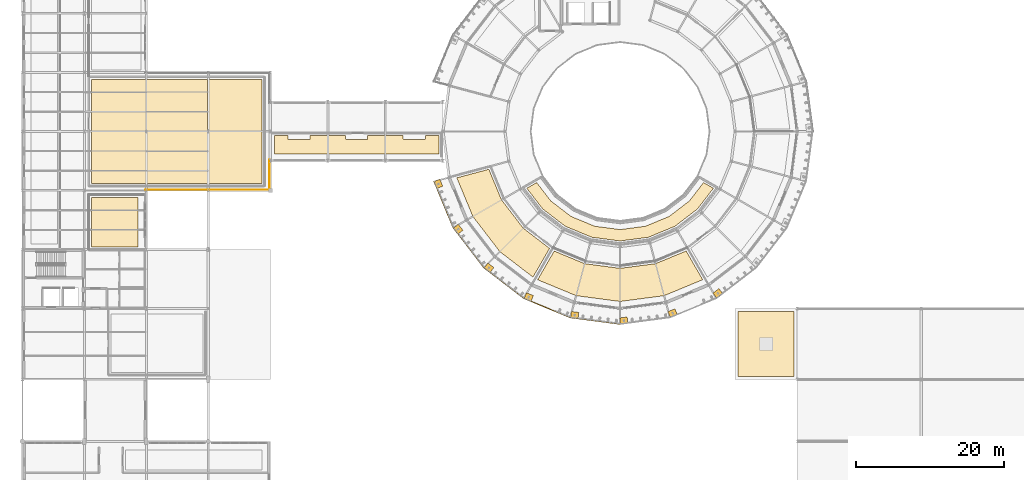
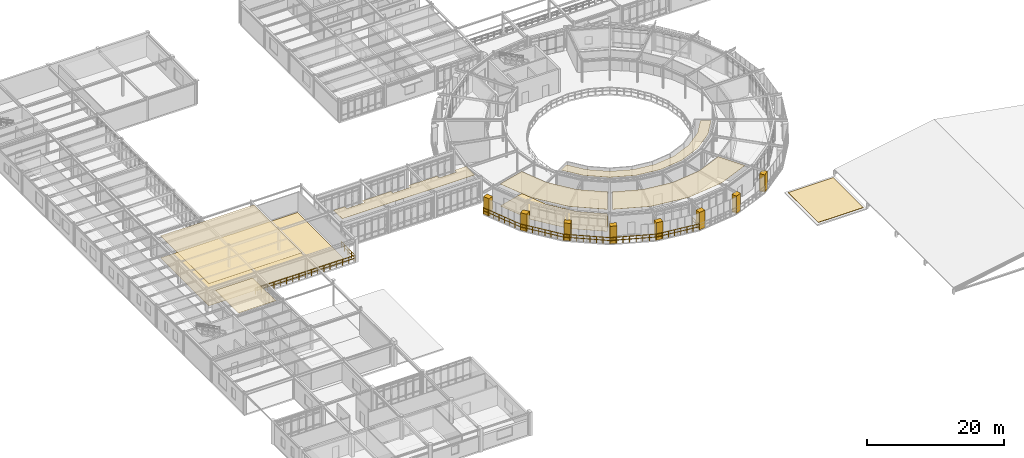
# One storey, part 82 of 90: 9 coverings, 8 shading devices, 2 railings.
"""IFC4 building model written with IfcOpenShell, lengths in metres."""

import ifcopenshell
import ifcopenshell.guid

model = None  # the IFC model being written
_history = None  # IfcOwnerHistory: only IFC2X3 demands one
_inside = {}  # id of a spatial element -> (the spatial element, [elements in it])
_under = {}  # id of a project, library or spatial element -> (it, [spatial elements below it])
_declared = {}  # id of a project -> (the project, [libraries it declares])
_typed = {}  # id of a type object -> (the type object, [elements of that type])
_made_of = {}  # id of a material, layer set ... -> (it, [elements and type objects made of it])


def new_model(schema):
    """Start an empty IFC model of exactly this schema.

    Asked for "IFC4X3", IfcOpenShell would pick the latest addendum, in which some entities
    have other attributes; the version numbers below select the first issue.
    IFC2X3 requires an IfcOwnerHistory on every rooted entity: one is made here for all.
    """
    global model, _history
    if schema == "IFC4X3":
        model = ifcopenshell.file(schema_version=(4, 3, 0, 0))
    else:
        model = ifcopenshell.file(schema=schema)
    _inside.clear()
    _under.clear()
    _declared.clear()
    _typed.clear()
    _made_of.clear()
    _history = None
    if model.schema == "IFC2X3":
        org = make("IfcOrganization", Name="unknown")
        user = make(
            "IfcPersonAndOrganization",
            ThePerson=make("IfcPerson", FamilyName="unknown"),
            TheOrganization=org,
        )
        app = make(
            "IfcApplication",
            ApplicationDeveloper=org,
            Version="unknown",
            ApplicationFullName="unknown",
            ApplicationIdentifier="unknown",
        )
        _history = make(
            "IfcOwnerHistory",
            OwningUser=user,
            OwningApplication=app,
            ChangeAction="ADDED",
            CreationDate=0,
        )
    return model


def make(cls, **values):
    """One entity of the class cls with the attributes given. An attribute that is None is left unset."""
    return model.create_entity(
        cls, **{name: value for name, value in values.items() if value is not None}
    )


def rooted(cls, **values):
    """An entity with a GlobalId (a new one), such as an element, a storey or a relation."""
    return make(cls, GlobalId=ifcopenshell.guid.new(), OwnerHistory=_history, **values)


def si_unit(unit_type, name, prefix=None):
    """IfcSIUnit, for example si_unit("LENGTHUNIT", "METRE", prefix="MILLI")."""
    return make("IfcSIUnit", UnitType=unit_type, Prefix=prefix, Name=name)


def derived_unit(unit_type, elements):
    """IfcDerivedUnit: a product of units, each with its exponent."""
    return make(
        "IfcDerivedUnit",
        Elements=[
            make("IfcDerivedUnitElement", Unit=unit, Exponent=power)
            for unit, power in elements
        ],
        UnitType=unit_type,
    )


def assignment(units):
    """IfcUnitAssignment: the units of a project."""
    return None if units is None else make("IfcUnitAssignment", Units=units)


def point(xyz):
    """IfcCartesianPoint."""
    return None if xyz is None else make("IfcCartesianPoint", Coordinates=xyz)


def direction(xyz):
    """IfcDirection."""
    return None if xyz is None else make("IfcDirection", DirectionRatios=xyz)


def frame(location, z_axis=None, x_axis=None):
    """IfcAxis2Placement3D, a coordinate frame: its origin and axes. An axis left out is left unset."""
    return make(
        "IfcAxis2Placement3D",
        Location=point(location),
        Axis=direction(z_axis),
        RefDirection=direction(x_axis),
    )


def frame_2d(location, x_axis=None):
    """IfcAxis2Placement2D, a coordinate frame in the plane: its origin and x axis."""
    return make(
        "IfcAxis2Placement2D", Location=point(location), RefDirection=direction(x_axis)
    )


def origin():
    """The frame at (0, 0, 0) with its axes left unset."""
    return frame((0.0, 0.0, 0.0))


def origin_2d():
    """The frame at (0, 0) in the plane with its x axis left unset."""
    return frame_2d((0.0, 0.0))


def place(relative_to, where):
    """IfcLocalPlacement: puts the frame where relative to a parent placement (None: the world)."""
    return make(
        "IfcLocalPlacement", PlacementRelTo=relative_to, RelativePlacement=where
    )


def context(
    kind, dimensions, precision=None, world=None, true_north=None, identifier=None
):
    """IfcGeometricRepresentationContext, for example the 3D "Model" context."""
    return make(
        "IfcGeometricRepresentationContext",
        ContextIdentifier=identifier,
        ContextType=kind,
        CoordinateSpaceDimension=dimensions,
        Precision=precision,
        WorldCoordinateSystem=world,
        TrueNorth=true_north,
    )


def subcontext(parent, identifier, kind, view, scale=None):
    """IfcGeometricRepresentationSubContext, for example "Body" below "Model"."""
    return make(
        "IfcGeometricRepresentationSubContext",
        ContextIdentifier=identifier,
        ContextType=kind,
        ParentContext=parent,
        TargetScale=scale,
        TargetView=view,
    )


def project(units=None, contexts=None):
    """IfcProject with its units and contexts."""
    return rooted(
        "IfcProject",
        Name="project",
        RepresentationContexts=contexts,
        UnitsInContext=assignment(units),
    )


def spatial(cls, under=None, at=None, **own):
    """A site, building, storey or space (cls), placed at a placement, below another one or the project."""
    s = rooted(cls, ObjectPlacement=at, **own)
    if under is not None:
        _under.setdefault(under.id(), (under, []))[1].append(s)
    return s


def polyline(points):
    """IfcPolyline through the points."""
    return make("IfcPolyline", Points=[point(p) for p in points])


def profile(cls, at=None, kind="AREA", **sizes):
    """A parametric profile (cls). Its sizes go by their IFC names, for example OverallWidth=200.0."""
    return make(cls, ProfileType=kind, Position=at, **sizes)


def rectangle(**sizes):
    """IfcRectangleProfileDef."""
    return profile("IfcRectangleProfileDef", **sizes)


def circle(**sizes):
    """IfcCircleProfileDef."""
    return profile("IfcCircleProfileDef", **sizes)


def outline(outer, holes=None, kind="AREA"):
    """IfcArbitraryClosedProfileDef: a profile drawn as a closed curve; with holes, ...WithVoids."""
    if holes is None:
        return make("IfcArbitraryClosedProfileDef", ProfileType=kind, OuterCurve=outer)
    return make(
        "IfcArbitraryProfileDefWithVoids",
        ProfileType=kind,
        OuterCurve=outer,
        InnerCurves=holes,
    )


def extrude(swept, where, along, depth):
    """IfcExtrudedAreaSolid: the profile swept, set in the frame where, extruded along a direction by depth."""
    return make(
        "IfcExtrudedAreaSolid",
        SweptArea=swept,
        Position=where,
        ExtrudedDirection=direction(along),
        Depth=depth,
    )


def shape(context_of_items, identifier, shape_type, items):
    """IfcShapeRepresentation: the items that make up one representation, for example the "Body"."""
    return make(
        "IfcShapeRepresentation",
        ContextOfItems=context_of_items,
        RepresentationIdentifier=identifier,
        RepresentationType=shape_type,
        Items=items,
    )


def material(Name=None, Category=None):
    """IfcMaterial."""
    return make("IfcMaterial", Name=Name, Category=Category)


def layer(
    of_material, thickness, ventilated=None, Name=None, Category=None, Priority=None
):
    """IfcMaterialLayer: one layer of a wall or slab, of a material (None: an air gap)."""
    return make(
        "IfcMaterialLayer",
        Material=of_material,
        LayerThickness=thickness,
        IsVentilated=ventilated,
        Name=Name,
        Category=Category,
        Priority=Priority,
    )


def layer_set(layers, Name=None):
    """IfcMaterialLayerSet."""
    return make("IfcMaterialLayerSet", MaterialLayers=layers, LayerSetName=Name)


def made_of(thing, what):
    """Note that an element or type object is made of a material, layer set ...; save() writes the relation."""
    if what is not None:
        _made_of.setdefault(what.id(), (what, []))[1].append(thing)
    return thing


def type_object(cls, material=None, **own):
    """A type object (cls), such as IfcWallType, which elements share."""
    return made_of(rooted(cls, **own), material)


def element(
    cls,
    number,
    at=None,
    inside=None,
    cuts=None,
    type_object=None,
    material=None,
    context=None,
    identifier="Body",
    shape_type=None,
    held_by="IfcProductDefinitionShape",
    body=None,
    shapes=None,
    **own,
):
    """One element of the class cls, such as IfcWall. Its Tag is "e" and its number.

    at: its placement. inside: the storey or other place that contains it. cuts: it is an
    opening in that element (IfcRelVoidsElement). A single representation is given by context,
    identifier, shape_type and body (its items); several are given by shapes. held_by: the class
    of the entity that holds the representations. save() writes the other relations.
    """
    e = rooted(cls, Tag="e%d" % number, ObjectPlacement=at, **own)
    if body is not None:
        shapes = [shape(context, identifier, shape_type, body)]
    if shapes is not None:
        e.Representation = make(held_by, Representations=shapes)
    if inside is not None:
        _inside.setdefault(inside.id(), (inside, []))[1].append(e)
    if cuts is not None:
        rooted(
            "IfcRelVoidsElement", RelatingBuildingElement=cuts, RelatedOpeningElement=e
        )
    if type_object is not None:
        _typed.setdefault(type_object.id(), (type_object, []))[1].append(e)
    return made_of(e, material)


def aggregate(whole, parts):
    """IfcRelAggregates: a whole, such as a stair, and the parts it consists of."""
    return rooted("IfcRelAggregates", RelatingObject=whole, RelatedObjects=parts)


def save(model, path):
    """Write the relations noted so far, then the file.

    IfcRelAggregates (storeys below a building ...), IfcRelContainedInSpatialStructure (elements
    in a storey), IfcRelDefinesByType, IfcRelAssociatesMaterial and IfcRelDeclares: one each for
    every whole, place, type object, material and project.
    """
    for whole, parts in _under.values():
        aggregate(whole, parts)
    for where, things in _inside.values():
        rooted(
            "IfcRelContainedInSpatialStructure",
            RelatedElements=things,
            RelatingStructure=where,
        )
    for kind, things in _typed.values():
        rooted("IfcRelDefinesByType", RelatedObjects=things, RelatingType=kind)
    for what, things in _made_of.values():
        rooted("IfcRelAssociatesMaterial", RelatedObjects=things, RelatingMaterial=what)
    for by, libraries in _declared.values():
        rooted("IfcRelDeclares", RelatingContext=by, RelatedDefinitions=libraries)
    model.write(path)


model = new_model("IFC4")

# Units and contexts
model_context = context("Model", 3, precision=1e-05, world=origin(), true_north=direction((0.0, 1.0)))
body_context = subcontext(model_context, "Body", "Model", "MODEL_VIEW")
ifc_project = project(units=[si_unit("LENGTHUNIT", "METRE"), si_unit("AREAUNIT", "SQUARE_METRE"), si_unit("VOLUMEUNIT", "CUBIC_METRE"), si_unit("PLANEANGLEUNIT", "RADIAN"), si_unit("MASSUNIT", "GRAM", prefix="KILO"), derived_unit("THERMALTRANSMITTANCEUNIT", [(si_unit("POWERUNIT", "WATT"), 1), (si_unit("AREAUNIT", "SQUARE_METRE"), -1), (si_unit("THERMODYNAMICTEMPERATUREUNIT", "KELVIN"), -1)])], contexts=[model_context])

# Site, building, storey
site_placement = place(None, origin())
site = spatial("IfcSite", under=ifc_project, at=site_placement, CompositionType="ELEMENT")
building_placement = place(site_placement, origin())
building = spatial("IfcBuilding", under=site, at=building_placement, Name="Yasenodar Specialist Clinic", CompositionType="ELEMENT")
storey_placement = place(building_placement, frame((0.0, 0.0, 9.0)))
storey = spatial("IfcBuildingStorey", under=building, at=storey_placement, Name="L02", CompositionType="ELEMENT", Elevation=9.0)

# Coverings
ifc_material_1 = material(Name="Hygienic Acoustic Mineral-Fibre Ceiling")
ifc_layer_1 = layer(ifc_material_1, 0.02490234375)
ifc_layer_set_1 = layer_set([ifc_layer_1], Name="Hygienic Acoustic Mineral-Fibre Ceiling")
covering_type_1 = type_object("IfcCoveringType", Name="COV-CEIL-AC", PredefinedType="CEILING", material=ifc_layer_set_1)
covering_1_placement = place(storey_placement, frame((0.0, 0.0, 3.925048828125)))
element("IfcCovering", 1, at=covering_1_placement, inside=storey, type_object=covering_type_1, Name="L02 Neurology Day-Infusion Suite Acoustic Ceiling", PredefinedType="CEILING", context=body_context, shape_type="SweptSolid", body=[
    extrude(outline(polyline([(64.927978515625, 49.5380859375), (64.943115234375, 49.511962890625), (64.9609375, 49.487060546875), (67.85302734375, 45.718017578125), (67.873046875, 45.694091796875), (67.89404296875, 45.673095703125), (67.91796875, 45.653076171875), (71.443115234375, 42.947021484375), (69.196044921875, 39.055908203125), (64.702880859375, 42.5029296875), (61.041015625, 47.277099609375), (58.873046875, 52.509033203125), (63.214111328125, 53.672119140625), (64.9150390625, 49.56591796875), (64.927978515625, 49.5380859375)])), origin(), (0.0, 0.0, 1.0), 0.02490234375),
])
covering_2_placement = place(storey_placement, frame((0.0, 0.0, 3.925048828125)))
element("IfcCovering", 2, at=covering_2_placement, inside=storey, type_object=covering_type_1, Name="L02 Rheumatology Infusion Suite Acoustic Ceiling", PredefinedType="CEILING", context=body_context, shape_type="SweptSolid", body=[
    extrude(outline(polyline([(76.214111328125, 40.8779296875), (76.243896484375, 40.873046875), (80.9541015625, 40.2529296875), (80.985107421875, 40.25), (81.014892578125, 40.25), (81.0458984375, 40.2529296875), (85.756103515625, 40.873046875), (85.785888671875, 40.8779296875), (85.81591796875, 40.885986328125), (85.843994140625, 40.89697265625), (89.949951171875, 42.596923828125), (92.197021484375, 38.7060546875), (86.965087890625, 36.5380859375), (81.0, 35.7529296875), (75.034912109375, 36.5380859375), (69.821044921875, 38.697998046875), (72.068115234375, 42.590087890625), (76.156005859375, 40.89697265625), (76.18408203125, 40.885986328125), (76.214111328125, 40.8779296875)])), origin(), (0.0, 0.0, 1.0), 0.02490234375),
])
covering_3_placement = place(storey_placement, frame((0.0, 0.0, 3.925048828125)))
element("IfcCovering", 3, at=covering_3_placement, inside=storey, type_object=covering_type_1, Name="L02 Upper Drum Observation Gallery Acoustic Ceiling", PredefinedType="CEILING", context=body_context, shape_type="SweptSolid", body=[
    extrude(outline(polyline([(93.64306640625, 51.095947265625), (91.498046875, 48.302001953125), (88.423095703125, 45.94189453125), (84.843017578125, 44.458984375), (81.0, 43.952880859375), (77.156982421875, 44.458984375), (73.576904296875, 45.94189453125), (70.501953125, 48.302001953125), (68.35693359375, 51.095947265625), (69.696044921875, 51.8701171875), (71.5869140625, 49.405029296875), (71.592041015625, 49.39892578125), (71.59912109375, 49.39208984375), (71.60498046875, 49.386962890625), (74.339111328125, 47.2890625), (74.345947265625, 47.283935546875), (74.35400390625, 47.280029296875), (74.362060546875, 47.27587890625), (77.544921875, 45.95703125), (77.553955078125, 45.9541015625), (77.56201171875, 45.951904296875), (77.571044921875, 45.950927734375), (80.987060546875, 45.5009765625), (80.99609375, 45.5), (81.00390625, 45.5), (81.012939453125, 45.5009765625), (84.428955078125, 45.950927734375), (84.43798828125, 45.951904296875), (84.446044921875, 45.9541015625), (84.455078125, 45.95703125), (87.637939453125, 47.27587890625), (87.64599609375, 47.280029296875), (87.654052734375, 47.283935546875), (87.660888671875, 47.2890625), (90.39501953125, 49.386962890625), (90.40087890625, 49.39208984375), (90.407958984375, 49.39892578125), (90.4130859375, 49.405029296875), (92.303955078125, 51.8701171875), (93.64306640625, 51.095947265625)])), origin(), (0.0, 0.0, 1.0), 0.02490234375),
])
covering_4_placement = place(storey_placement, frame((0.0, 0.0, 3.925048828125)))
element("IfcCovering", 4, at=covering_4_placement, inside=storey, type_object=covering_type_1, Name="L02 Electromyography Suite Acoustic Ceiling", PredefinedType="CEILING", context=body_context, shape_type="SweptSolid", body=[
    extrude(outline(polyline([(15.64990234375, 49.85009765625), (15.64990234375, 43.1298828125), (9.35009765625, 43.1298828125), (9.35009765625, 49.85009765625), (15.64990234375, 49.85009765625)])), origin(), (0.0, 0.0, 1.0), 0.02490234375),
])
covering_5_placement = place(storey_placement, frame((0.0, 0.0, 3.925048828125)))
element("IfcCovering", 5, at=covering_5_placement, inside=storey, type_object=covering_type_1, Name="L02 Upper Bridge Outpatient Lounge Acoustic Ceiling", PredefinedType="CEILING", context=body_context, shape_type="SweptSolid", body=[
    extrude(outline(polyline([(9.35009765625, 51.75), (9.35009765625, 65.85009765625), (25.10009765625, 65.85009765625), (25.10009765625, 51.75), (9.35009765625, 51.75)])), origin(), (0.0, 0.0, 1.0), 0.02490234375),
])
covering_6_placement = place(storey_placement, frame((0.0, 0.0, 4.39990234375)))
element("IfcCovering", 6, at=covering_6_placement, inside=storey, type_object=covering_type_1, Name="L02 Upper Light Bridge Daylit Gallery Acoustic Ceiling", PredefinedType="CEILING", context=body_context, shape_type="SweptSolid", body=[
    extrude(outline(polyline([(56.449951171875, 55.75), (34.14990234375, 55.75), (34.14990234375, 58.25), (36.0, 58.25), (36.0, 57.800048828125), (36.0, 57.7900390625), (36.001953125, 57.780029296875), (36.00390625, 57.77099609375), (36.008056640625, 57.761962890625), (36.011962890625, 57.7529296875), (36.01708984375, 57.743896484375), (36.02294921875, 57.737060546875), (36.029052734375, 57.72900390625), (36.037109375, 57.722900390625), (36.0439453125, 57.717041015625), (36.052978515625, 57.7119140625), (36.06201171875, 57.7080078125), (36.071044921875, 57.7041015625), (36.080078125, 57.701904296875), (36.090087890625, 57.699951171875), (36.10009765625, 57.699951171875), (38.89990234375, 57.699951171875), (38.909912109375, 57.699951171875), (38.919921875, 57.701904296875), (38.928955078125, 57.7041015625), (38.93798828125, 57.7080078125), (38.947021484375, 57.7119140625), (38.9560546875, 57.717041015625), (38.962890625, 57.722900390625), (38.970947265625, 57.72900390625), (38.97705078125, 57.737060546875), (38.98291015625, 57.743896484375), (38.988037109375, 57.7529296875), (38.991943359375, 57.761962890625), (38.99609375, 57.77099609375), (38.998046875, 57.780029296875), (39.0, 57.7900390625), (39.0, 57.800048828125), (39.0, 58.25), (43.800048828125, 58.25), (43.800048828125, 57.800048828125), (43.800048828125, 57.7900390625), (43.802001953125, 57.780029296875), (43.803955078125, 57.77099609375), (43.80810546875, 57.761962890625), (43.81201171875, 57.7529296875), (43.81689453125, 57.743896484375), (43.822998046875, 57.737060546875), (43.8291015625, 57.72900390625), (43.8369140625, 57.722900390625), (43.843994140625, 57.717041015625), (43.85302734375, 57.7119140625), (43.862060546875, 57.7080078125), (43.87109375, 57.7041015625), (43.8798828125, 57.701904296875), (43.889892578125, 57.699951171875), (43.89990234375, 57.699951171875), (46.699951171875, 57.699951171875), (46.7099609375, 57.699951171875), (46.719970703125, 57.701904296875), (46.72900390625, 57.7041015625), (46.738037109375, 57.7080078125), (46.7470703125, 57.7119140625), (46.756103515625, 57.717041015625), (46.762939453125, 57.722900390625), (46.77099609375, 57.72900390625), (46.777099609375, 57.737060546875), (46.782958984375, 57.743896484375), (46.7880859375, 57.7529296875), (46.7919921875, 57.761962890625), (46.7958984375, 57.77099609375), (46.798095703125, 57.780029296875), (46.800048828125, 57.7900390625), (46.800048828125, 57.800048828125), (46.800048828125, 58.25), (51.60009765625, 58.25), (51.60009765625, 57.800048828125), (51.60009765625, 57.7900390625), (51.60205078125, 57.780029296875), (51.60400390625, 57.77099609375), (51.60791015625, 57.761962890625), (51.612060546875, 57.7529296875), (51.616943359375, 57.743896484375), (51.623046875, 57.737060546875), (51.62890625, 57.72900390625), (51.636962890625, 57.722900390625), (51.64404296875, 57.717041015625), (51.653076171875, 57.7119140625), (51.662109375, 57.7080078125), (51.6708984375, 57.7041015625), (51.679931640625, 57.701904296875), (51.68994140625, 57.699951171875), (51.699951171875, 57.699951171875), (54.5, 57.699951171875), (54.510009765625, 57.699951171875), (54.52001953125, 57.701904296875), (54.529052734375, 57.7041015625), (54.5380859375, 57.7080078125), (54.547119140625, 57.7119140625), (54.555908203125, 57.717041015625), (54.56298828125, 57.722900390625), (54.571044921875, 57.72900390625), (54.576904296875, 57.737060546875), (54.5830078125, 57.743896484375), (54.587890625, 57.7529296875), (54.592041015625, 57.761962890625), (54.595947265625, 57.77099609375), (54.597900390625, 57.780029296875), (54.60009765625, 57.7900390625), (54.60009765625, 57.800048828125), (54.60009765625, 58.25), (56.449951171875, 58.25), (56.449951171875, 55.75)])), origin(), (0.0, 0.0, 1.0), 0.025146484375),
])
ifc_material_2 = material(Name="Seamless Epoxy Terrazzo Clinical Flooring")
ifc_layer_2 = layer(ifc_material_2, 0.02001953125)
ifc_layer_set_2 = layer_set([ifc_layer_2], Name="Seamless Epoxy Terrazzo Clinical Flooring")
covering_type_2 = type_object("IfcCoveringType", Name="COV-FLR-TERR", PredefinedType="FLOORING", material=ifc_layer_set_2)
covering_7_placement = place(storey_placement, origin())
element("IfcCovering", 7, at=covering_7_placement, inside=storey, type_object=covering_type_2, Name="L02 Neurology Day-Infusion Suite Terrazzo Flooring", PredefinedType="FLOORING", context=body_context, shape_type="SweptSolid", body=[
    extrude(outline(polyline([(64.927978515625, 49.5380859375), (64.943115234375, 49.511962890625), (64.9609375, 49.487060546875), (67.85302734375, 45.718017578125), (67.873046875, 45.694091796875), (67.89404296875, 45.673095703125), (67.91796875, 45.653076171875), (71.443115234375, 42.947021484375), (69.196044921875, 39.055908203125), (64.702880859375, 42.5029296875), (61.041015625, 47.277099609375), (58.873046875, 52.509033203125), (63.214111328125, 53.672119140625), (64.9150390625, 49.56591796875), (64.927978515625, 49.5380859375)])), origin(), (0.0, 0.0, 1.0), 0.02001953125),
])
covering_8_placement = place(storey_placement, origin())
element("IfcCovering", 8, at=covering_8_placement, inside=storey, type_object=covering_type_2, Name="L02 Upper Bridge Outpatient Lounge Terrazzo Flooring", PredefinedType="FLOORING", context=body_context, shape_type="SweptSolid", body=[
    extrude(outline(polyline([(32.449951171875, 51.75), (9.35009765625, 51.75), (9.35009765625, 65.85009765625), (32.449951171875, 65.85009765625), (32.449951171875, 51.75)])), origin(), (0.0, 0.0, 1.0), 0.02001953125),
])
ifc_material_3 = material(Name="Standing-Seam Pre-Weathered Zinc Roofing")
ifc_layer_3 = layer(ifc_material_3, 0.06005859375)
ifc_layer_set_3 = layer_set([ifc_layer_3], Name="Standing-Seam Pre-Weathered Zinc Roofing")
covering_type_3 = type_object("IfcCoveringType", Name="COV-ROOF-ZINC", PredefinedType="ROOFING", material=ifc_layer_set_3)
covering_9_placement = place(storey_placement, origin())
element("IfcCovering", 9, at=covering_9_placement, inside=storey, type_object=covering_type_3, Name="V3 Link Zinc Roof Covering", PredefinedType="ROOFING", context=body_context, shape_type="SweptSolid", body=[
    extrude(outline(polyline([(97.0, 25.60009765625), (104.60009765625, 25.60009765625), (104.60009765625, 34.39990234375), (97.0, 34.39990234375), (97.0, 25.60009765625)])), origin(), (0.0, 0.0, 1.0), 0.06005859375),
])

# Railings
ifc_material_4 = material(Name="Bronze Anodized Aluminium and Larch Balustrade", Category="aluminium")
railing_type_1 = type_object("IfcRailingType", Name="RL-BAL-1120", PredefinedType="BALUSTRADE", material=ifc_material_4)
railing_1_placement = place(storey_placement, frame((57.605224609375, 52.531494140625, 0.0)))
element("IfcRailing", 10, at=railing_1_placement, inside=storey, type_object=railing_type_1, Name="L02 Drum V1 Balcony Balustrade 3", PredefinedType="BALUSTRADE", context=body_context, shape_type="SweptSolid", body=[
    extrude(circle(Radius=0.02392578125, at=origin_2d()), frame((0.0, 0.0, 1.09619140625), z_axis=(-0.965899289485, -0.258918061502, 0.0), x_axis=(0.258918061502, -0.965899289485, 0.0)), (0.0, 0.0, 1.0), 1.89990234375),
    extrude(circle(Radius=0.02392578125, at=origin_2d()), frame((0.0, 0.0, 0.58251953125), z_axis=(-0.965899289485, -0.258918061502, 0.0), x_axis=(0.258918061502, -0.965899289485, 0.0)), (0.0, 0.0, 1.0), 1.89990234375),
    extrude(circle(Radius=0.02392578125, at=origin_2d()), frame((-1.835205078125, -0.491943359375, 1.09619140625), z_axis=(0.382684882513, -0.923878931839, 0.0), x_axis=(0.923878931839, 0.382684882513, 0.0)), (0.0, 0.0, 1.0), 6.818603515625),
    extrude(circle(Radius=0.02392578125, at=origin_2d()), frame((-1.835205078125, -0.491943359375, 0.58251953125), z_axis=(0.382684882513, -0.923878931839, 0.0), x_axis=(0.923878931839, 0.382684882513, 0.0)), (0.0, 0.0, 1.0), 6.818603515625),
    extrude(circle(Radius=0.02392578125, at=origin_2d()), frame((0.774169921875, -6.79150390625, 1.09619140625), z_axis=(0.608774242529, -0.793343507967, 0.0), x_axis=(0.793343507967, 0.608774242529, 0.0)), (0.0, 0.0, 1.0), 6.81884765625),
    extrude(circle(Radius=0.02392578125, at=origin_2d()), frame((0.774169921875, -6.79150390625, 0.58251953125), z_axis=(0.608774242529, -0.793343507967, 0.0), x_axis=(0.793343507967, 0.608774242529, 0.0)), (0.0, 0.0, 1.0), 6.81884765625),
    extrude(circle(Radius=0.02392578125, at=origin_2d()), frame((4.92529296875, -12.201171875, 1.09619140625), z_axis=(0.793347531118, -0.608768999597, 0.0), x_axis=(0.608768999597, 0.793347531118, 0.0)), (0.0, 0.0, 1.0), 6.818359375),
    extrude(circle(Radius=0.02392578125, at=origin_2d()), frame((4.92529296875, -12.201171875, 0.58251953125), z_axis=(0.793347531118, -0.608768999597, 0.0), x_axis=(0.608768999597, 0.793347531118, 0.0)), (0.0, 0.0, 1.0), 6.818359375),
    extrude(circle(Radius=0.02392578125, at=origin_2d()), frame((10.334716796875, -16.35205078125, 1.09619140625), z_axis=(0.923878931839, -0.382684882513, 0.0), x_axis=(0.382684882513, 0.923878931839, 0.0)), (0.0, 0.0, 1.0), 6.818603515625),
    extrude(circle(Radius=0.02392578125, at=origin_2d()), frame((10.334716796875, -16.35205078125, 0.58251953125), z_axis=(0.923878931839, -0.382684882513, 0.0), x_axis=(0.382684882513, 0.923878931839, 0.0)), (0.0, 0.0, 1.0), 6.818603515625),
    extrude(circle(Radius=0.02392578125, at=origin_2d()), frame((16.63427734375, -18.96142578125, 1.09619140625), z_axis=(0.9914429584, -0.130540645926, 0.0), x_axis=(0.130540645926, 0.9914429584, 0.0)), (0.0, 0.0, 1.0), 6.81884765625),
    extrude(circle(Radius=0.02392578125, at=origin_2d()), frame((16.63427734375, -18.96142578125, 0.58251953125), z_axis=(0.9914429584, -0.130540645926, 0.0), x_axis=(0.130540645926, 0.9914429584, 0.0)), (0.0, 0.0, 1.0), 6.81884765625),
    extrude(circle(Radius=0.02392578125, at=origin_2d()), frame((23.394775390625, -19.8515625, 1.09619140625), z_axis=(0.0, 1.0, 0.0), x_axis=(-1.0, 0.0, 0.0)), (0.0, 0.0, 1.0), 1.900146484375),
    extrude(circle(Radius=0.02392578125, at=origin_2d()), frame((23.394775390625, -19.8515625, 0.58251953125), z_axis=(0.0, 1.0, 0.0), x_axis=(-1.0, 0.0, 0.0)), (0.0, 0.0, 1.0), 1.900146484375),
    extrude(circle(Radius=0.02099609375, at=origin_2d()), origin(), (0.0, 0.0, 1.0), 1.072021484375),
    extrude(circle(Radius=0.02099609375, at=origin_2d()), frame((-0.91748046875, -0.24609375, 0.0)), (0.0, 0.0, 1.0), 1.072021484375),
    extrude(circle(Radius=0.02099609375, at=origin_2d()), frame((-1.835205078125, -0.491943359375, 0.0)), (0.0, 0.0, 1.0), 1.072021484375),
    extrude(circle(Radius=0.02099609375, at=origin_2d()), frame((-1.46240234375, -1.391845703125, 0.0)), (0.0, 0.0, 1.0), 1.072021484375),
    extrude(circle(Radius=0.02099609375, at=origin_2d()), frame((-1.089599609375, -2.291748046875, 0.0)), (0.0, 0.0, 1.0), 1.072021484375),
    extrude(circle(Radius=0.02099609375, at=origin_2d()), frame((-0.716796875, -3.191650390625, 0.0)), (0.0, 0.0, 1.0), 1.072021484375),
    extrude(circle(Radius=0.02099609375, at=origin_2d()), frame((-0.34423828125, -4.091796875, 0.0)), (0.0, 0.0, 1.0), 1.072021484375),
    extrude(circle(Radius=0.02099609375, at=origin_2d()), frame((0.028564453125, -4.99169921875, 0.0)), (0.0, 0.0, 1.0), 1.072021484375),
    extrude(circle(Radius=0.02099609375, at=origin_2d()), frame((0.4013671875, -5.8916015625, 0.0)), (0.0, 0.0, 1.0), 1.072021484375),
    extrude(circle(Radius=0.02099609375, at=origin_2d()), frame((0.774169921875, -6.79150390625, 0.0)), (0.0, 0.0, 1.0), 1.072021484375),
    extrude(circle(Radius=0.02099609375, at=origin_2d()), frame((1.3671875, -7.564208984375, 0.0)), (0.0, 0.0, 1.0), 1.072021484375),
    extrude(circle(Radius=0.02099609375, at=origin_2d()), frame((1.960205078125, -8.337158203125, 0.0)), (0.0, 0.0, 1.0), 1.072021484375),
    extrude(circle(Radius=0.02099609375, at=origin_2d()), frame((2.55322265625, -9.10986328125, 0.0)), (0.0, 0.0, 1.0), 1.072021484375),
    extrude(circle(Radius=0.02099609375, at=origin_2d()), frame((3.146240234375, -9.8828125, 0.0)), (0.0, 0.0, 1.0), 1.072021484375),
    extrude(circle(Radius=0.02099609375, at=origin_2d()), frame((3.7392578125, -10.655517578125, 0.0)), (0.0, 0.0, 1.0), 1.072021484375),
    extrude(circle(Radius=0.02099609375, at=origin_2d()), frame((4.332275390625, -11.428466796875, 0.0)), (0.0, 0.0, 1.0), 1.072021484375),
    extrude(circle(Radius=0.02099609375, at=origin_2d()), frame((4.92529296875, -12.201171875, 0.0)), (0.0, 0.0, 1.0), 1.072021484375),
    extrude(circle(Radius=0.02099609375, at=origin_2d()), frame((5.697998046875, -12.794189453125, 0.0)), (0.0, 0.0, 1.0), 1.072021484375),
    extrude(circle(Radius=0.02099609375, at=origin_2d()), frame((6.470947265625, -13.38720703125, 0.0)), (0.0, 0.0, 1.0), 1.072021484375),
    extrude(circle(Radius=0.02099609375, at=origin_2d()), frame((7.24365234375, -13.980224609375, 0.0)), (0.0, 0.0, 1.0), 1.072021484375),
    extrude(circle(Radius=0.02099609375, at=origin_2d()), frame((8.016357421875, -14.572998046875, 0.0)), (0.0, 0.0, 1.0), 1.072021484375),
    extrude(circle(Radius=0.02099609375, at=origin_2d()), frame((8.7890625, -15.166015625, 0.0)), (0.0, 0.0, 1.0), 1.072021484375),
    extrude(circle(Radius=0.02099609375, at=origin_2d()), frame((9.56201171875, -15.759033203125, 0.0)), (0.0, 0.0, 1.0), 1.072021484375),
    extrude(circle(Radius=0.02099609375, at=origin_2d()), frame((10.334716796875, -16.35205078125, 0.0)), (0.0, 0.0, 1.0), 1.072021484375),
    extrude(circle(Radius=0.02099609375, at=origin_2d()), frame((11.234619140625, -16.724853515625, 0.0)), (0.0, 0.0, 1.0), 1.072021484375),
    extrude(circle(Radius=0.02099609375, at=origin_2d()), frame((12.134521484375, -17.09765625, 0.0)), (0.0, 0.0, 1.0), 1.072021484375),
    extrude(circle(Radius=0.02099609375, at=origin_2d()), frame((13.034423828125, -17.470458984375, 0.0)), (0.0, 0.0, 1.0), 1.072021484375),
    extrude(circle(Radius=0.02099609375, at=origin_2d()), frame((13.9345703125, -17.843017578125, 0.0)), (0.0, 0.0, 1.0), 1.072021484375),
    extrude(circle(Radius=0.02099609375, at=origin_2d()), frame((14.83447265625, -18.2158203125, 0.0)), (0.0, 0.0, 1.0), 1.072021484375),
    extrude(circle(Radius=0.02099609375, at=origin_2d()), frame((15.734375, -18.588623046875, 0.0)), (0.0, 0.0, 1.0), 1.072021484375),
    extrude(circle(Radius=0.02099609375, at=origin_2d()), frame((16.63427734375, -18.96142578125, 0.0)), (0.0, 0.0, 1.0), 1.072021484375),
    extrude(circle(Radius=0.02099609375, at=origin_2d()), frame((17.60009765625, -19.088623046875, 0.0)), (0.0, 0.0, 1.0), 1.072021484375),
    extrude(circle(Radius=0.02099609375, at=origin_2d()), frame((18.56591796875, -19.2158203125, 0.0)), (0.0, 0.0, 1.0), 1.072021484375),
    extrude(circle(Radius=0.02099609375, at=origin_2d()), frame((19.53173828125, -19.343017578125, 0.0)), (0.0, 0.0, 1.0), 1.072021484375),
    extrude(circle(Radius=0.02099609375, at=origin_2d()), frame((20.497314453125, -19.469970703125, 0.0)), (0.0, 0.0, 1.0), 1.072021484375),
    extrude(circle(Radius=0.02099609375, at=origin_2d()), frame((21.463134765625, -19.59716796875, 0.0)), (0.0, 0.0, 1.0), 1.072021484375),
    extrude(circle(Radius=0.02099609375, at=origin_2d()), frame((22.428955078125, -19.724365234375, 0.0)), (0.0, 0.0, 1.0), 1.072021484375),
    extrude(circle(Radius=0.02099609375, at=origin_2d()), frame((23.394775390625, -19.8515625, 0.0)), (0.0, 0.0, 1.0), 1.072021484375),
    extrude(circle(Radius=0.02099609375, at=origin_2d()), frame((23.394775390625, -18.9013671875, 0.0)), (0.0, 0.0, 1.0), 1.072021484375),
    extrude(circle(Radius=0.02099609375, at=origin_2d()), frame((23.394775390625, -17.951416015625, 0.0)), (0.0, 0.0, 1.0), 1.072021484375),
])
ifc_material_5 = material(Name="Steel S355 Painted Guardrail", Category="steel")
railing_type_2 = type_object("IfcRailingType", Name="RL-GRD-1120", PredefinedType="GUARDRAIL", material=ifc_material_5)
railing_2_placement = place(storey_placement, frame((16.699951171875, 50.89990234375, 0.0)))
element("IfcRailing", 11, at=railing_2_placement, inside=storey, type_object=railing_type_2, Name="L02 V4 Forecourt Bridge South Guardrail", PredefinedType="GUARDRAIL", context=body_context, shape_type="SweptSolid", body=[
    extrude(circle(Radius=0.02392578125, at=origin_2d()), frame((0.0, 0.0, 1.09619140625), z_axis=(1.0, 0.0, 0.0), x_axis=(0.0, 1.0, 0.0)), (0.0, 0.0, 1.0), 16.800048828125),
    extrude(circle(Radius=0.02392578125, at=origin_2d()), frame((0.0, 0.0, 0.58251953125), z_axis=(1.0, 0.0, 0.0), x_axis=(0.0, 1.0, 0.0)), (0.0, 0.0, 1.0), 16.800048828125),
    extrude(circle(Radius=0.02392578125, at=origin_2d()), frame((16.800048828125, 0.0, 1.09619140625), z_axis=(0.0, 1.0, 0.0), x_axis=(-1.0, 0.0, 0.0)), (0.0, 0.0, 1.0), 4.050048828125),
    extrude(circle(Radius=0.02392578125, at=origin_2d()), frame((16.800048828125, 0.0, 0.58251953125), z_axis=(0.0, 1.0, 0.0), x_axis=(-1.0, 0.0, 0.0)), (0.0, 0.0, 1.0), 4.050048828125),
    extrude(circle(Radius=0.02099609375, at=origin_2d()), origin(), (0.0, 0.0, 1.0), 1.072021484375),
    extrude(circle(Radius=0.02099609375, at=origin_2d()), frame((1.050048828125, 0.0, 0.0)), (0.0, 0.0, 1.0), 1.072021484375),
    extrude(circle(Radius=0.02099609375, at=origin_2d()), frame((2.10009765625, 0.0, 0.0)), (0.0, 0.0, 1.0), 1.072021484375),
    extrude(circle(Radius=0.02099609375, at=origin_2d()), frame((3.14990234375, 0.0, 0.0)), (0.0, 0.0, 1.0), 1.072021484375),
    extrude(circle(Radius=0.02099609375, at=origin_2d()), frame((4.199951171875, 0.0, 0.0)), (0.0, 0.0, 1.0), 1.072021484375),
    extrude(circle(Radius=0.02099609375, at=origin_2d()), frame((5.25, 0.0, 0.0)), (0.0, 0.0, 1.0), 1.072021484375),
    extrude(circle(Radius=0.02099609375, at=origin_2d()), frame((6.300048828125, 0.0, 0.0)), (0.0, 0.0, 1.0), 1.072021484375),
    extrude(circle(Radius=0.02099609375, at=origin_2d()), frame((7.35009765625, 0.0, 0.0)), (0.0, 0.0, 1.0), 1.072021484375),
    extrude(circle(Radius=0.02099609375, at=origin_2d()), frame((8.39990234375, 0.0, 0.0)), (0.0, 0.0, 1.0), 1.072021484375),
    extrude(circle(Radius=0.02099609375, at=origin_2d()), frame((9.449951171875, 0.0, 0.0)), (0.0, 0.0, 1.0), 1.072021484375),
    extrude(circle(Radius=0.02099609375, at=origin_2d()), frame((10.5, 0.0, 0.0)), (0.0, 0.0, 1.0), 1.072021484375),
    extrude(circle(Radius=0.02099609375, at=origin_2d()), frame((11.550048828125, 0.0, 0.0)), (0.0, 0.0, 1.0), 1.072021484375),
    extrude(circle(Radius=0.02099609375, at=origin_2d()), frame((12.60009765625, 0.0, 0.0)), (0.0, 0.0, 1.0), 1.072021484375),
    extrude(circle(Radius=0.02099609375, at=origin_2d()), frame((13.650146484375, 0.0, 0.0)), (0.0, 0.0, 1.0), 1.072021484375),
    extrude(circle(Radius=0.02099609375, at=origin_2d()), frame((14.699951171875, 0.0, 0.0)), (0.0, 0.0, 1.0), 1.072021484375),
    extrude(circle(Radius=0.02099609375, at=origin_2d()), frame((15.75, 0.0, 0.0)), (0.0, 0.0, 1.0), 1.072021484375),
    extrude(circle(Radius=0.02099609375, at=origin_2d()), frame((16.800048828125, 0.0, 0.0)), (0.0, 0.0, 1.0), 1.072021484375),
    extrude(circle(Radius=0.02099609375, at=origin_2d()), frame((16.800048828125, 1.012451171875, 0.0)), (0.0, 0.0, 1.0), 1.072021484375),
    extrude(circle(Radius=0.02099609375, at=origin_2d()), frame((16.800048828125, 2.02490234375, 0.0)), (0.0, 0.0, 1.0), 1.072021484375),
    extrude(circle(Radius=0.02099609375, at=origin_2d()), frame((16.800048828125, 3.03759765625, 0.0)), (0.0, 0.0, 1.0), 1.072021484375),
    extrude(circle(Radius=0.02099609375, at=origin_2d()), frame((16.800048828125, 4.050048828125, 0.0)), (0.0, 0.0, 1.0), 1.072021484375),
])

# Shading devices
ifc_material_6 = material(Name="Thermally Modified Larch and Bronze Girih Jali Shutter")
shading_device_type = type_object("IfcShadingDeviceType", Name="SHD-JALI-850", PredefinedType="SHUTTER", material=ifc_material_6)
for number, where, z_axis, x_axis, name in (
    (12, (56.372802734375, 51.68359375, -0.005126953125), (0.0, 0.0, 1.0), (0.382686667195, -0.923878192594, 0.0), "L02 Mughal Girih Jali Sliding Shutter Frame 0157"),
    (13, (59.0537109375, 45.55224609375, -0.005126953125), (0.0, 0.0, 1.0), (0.608764217148, -0.793351200869, 0.0), "L02 Mughal Girih Jali Sliding Shutter Frame 0163"),
    (14, (63.23046875, 40.323486328125, -0.005126953125), (0.0, 0.0, 1.0), (0.793351200869, -0.608764217148, 0.0), "L02 Mughal Girih Jali Sliding Shutter Frame 0169"),
    (15, (68.617919921875, 36.35400390625, -0.005126953125), (0.0, 0.0, 1.0), (0.923878192594, -0.382686667195, 0.0), "L02 Mughal Girih Jali Sliding Shutter Frame 0175"),
    (16, (74.849365234375, 33.9140625, -0.005126953125), (0.0, 0.0, 1.0), (0.991445783754, -0.130519185854, 0.0), "L02 Mughal Girih Jali Sliding Shutter Frame 0178"),
    (17, (81.499755859375, 33.170166015625, -0.005126953125), (0.0, 0.0, 1.0), (0.991445783754, 0.130519185854, 0.0), "L02 Mughal Girih Jali Sliding Shutter Frame 0184"),
    (18, (88.1162109375, 34.1728515625, -0.005126953125), (0.0, 0.0, 1.0), (0.923878192594, 0.382686667195, 0.0), "L02 Mughal Girih Jali Sliding Shutter Frame 0190"),
    (19, (94.247802734375, 36.853759765625, -0.005126953125), (0.0, 0.0, 1.0), (0.793351200869, 0.608764217148, 0.0), "L02 Mughal Girih Jali Sliding Shutter Frame 0193"),
):
    element("IfcShadingDevice", number, at=place(storey_placement, frame(where, z_axis=z_axis, x_axis=x_axis)), inside=storey, type_object=shading_device_type, Name=name, PredefinedType="SHUTTER", context=body_context, shape_type="SweptSolid", body=[
        extrude(rectangle(XDim=1.02001953125, YDim=0.85009765625, at=origin_2d()), origin(), (0.0, 0.0, 1.0), 3.10009765625),
    ])

save(model, "model.ifc")
